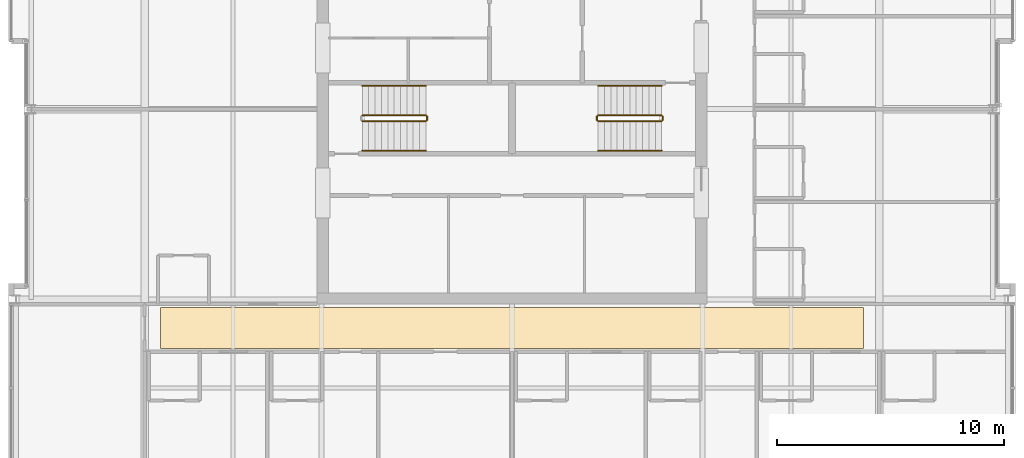
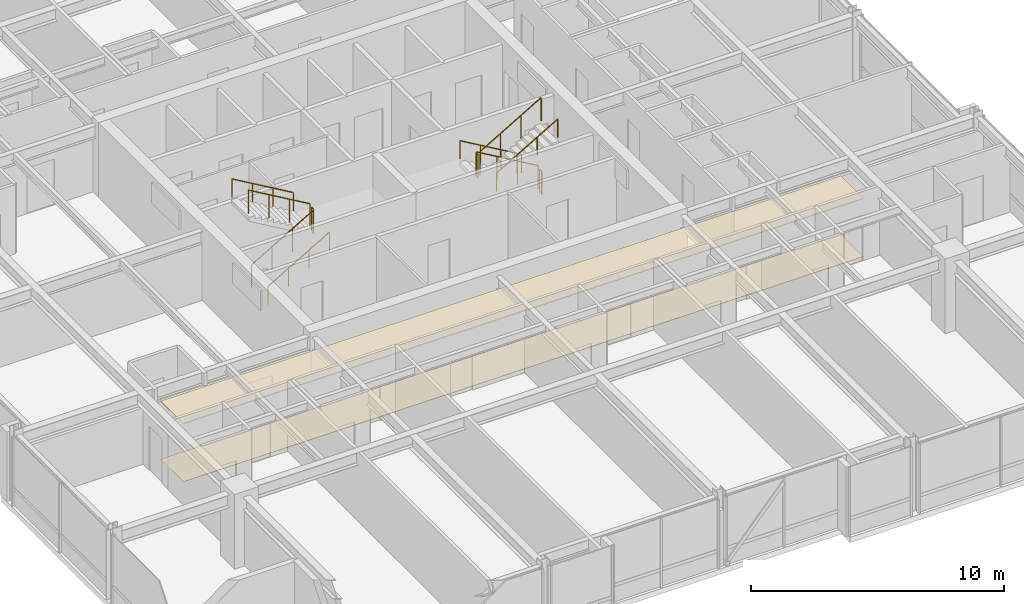
# One storey, part 32 of 33: 11 railings, 2 coverings.
"""IFC4 building model written with IfcOpenShell, lengths in metres."""

import ifcopenshell
import ifcopenshell.guid

model = None  # the IFC model being written
_history = None  # IfcOwnerHistory: only IFC2X3 demands one
_inside = {}  # id of a spatial element -> (the spatial element, [elements in it])
_under = {}  # id of a project, library or spatial element -> (it, [spatial elements below it])
_declared = {}  # id of a project -> (the project, [libraries it declares])
_typed = {}  # id of a type object -> (the type object, [elements of that type])
_made_of = {}  # id of a material, layer set ... -> (it, [elements and type objects made of it])


def new_model(schema):
    """Start an empty IFC model of exactly this schema.

    Asked for "IFC4X3", IfcOpenShell would pick the latest addendum, in which some entities
    have other attributes; the version numbers below select the first issue.
    IFC2X3 requires an IfcOwnerHistory on every rooted entity: one is made here for all.
    """
    global model, _history
    if schema == "IFC4X3":
        model = ifcopenshell.file(schema_version=(4, 3, 0, 0))
    else:
        model = ifcopenshell.file(schema=schema)
    _inside.clear()
    _under.clear()
    _declared.clear()
    _typed.clear()
    _made_of.clear()
    _history = None
    if model.schema == "IFC2X3":
        org = make("IfcOrganization", Name="unknown")
        user = make(
            "IfcPersonAndOrganization",
            ThePerson=make("IfcPerson", FamilyName="unknown"),
            TheOrganization=org,
        )
        app = make(
            "IfcApplication",
            ApplicationDeveloper=org,
            Version="unknown",
            ApplicationFullName="unknown",
            ApplicationIdentifier="unknown",
        )
        _history = make(
            "IfcOwnerHistory",
            OwningUser=user,
            OwningApplication=app,
            ChangeAction="ADDED",
            CreationDate=0,
        )
    return model


def make(cls, **values):
    """One entity of the class cls with the attributes given. An attribute that is None is left unset."""
    return model.create_entity(
        cls, **{name: value for name, value in values.items() if value is not None}
    )


def rooted(cls, **values):
    """An entity with a GlobalId (a new one), such as an element, a storey or a relation."""
    return make(cls, GlobalId=ifcopenshell.guid.new(), OwnerHistory=_history, **values)


def si_unit(unit_type, name, prefix=None):
    """IfcSIUnit, for example si_unit("LENGTHUNIT", "METRE", prefix="MILLI")."""
    return make("IfcSIUnit", UnitType=unit_type, Prefix=prefix, Name=name)


def assignment(units):
    """IfcUnitAssignment: the units of a project."""
    return None if units is None else make("IfcUnitAssignment", Units=units)


def point(xyz):
    """IfcCartesianPoint."""
    return None if xyz is None else make("IfcCartesianPoint", Coordinates=xyz)


def direction(xyz):
    """IfcDirection."""
    return None if xyz is None else make("IfcDirection", DirectionRatios=xyz)


def frame(location, z_axis=None, x_axis=None):
    """IfcAxis2Placement3D, a coordinate frame: its origin and axes. An axis left out is left unset."""
    return make(
        "IfcAxis2Placement3D",
        Location=point(location),
        Axis=direction(z_axis),
        RefDirection=direction(x_axis),
    )


def frame_2d(location, x_axis=None):
    """IfcAxis2Placement2D, a coordinate frame in the plane: its origin and x axis."""
    return make(
        "IfcAxis2Placement2D", Location=point(location), RefDirection=direction(x_axis)
    )


def origin():
    """The frame at (0, 0, 0) with its axes left unset."""
    return frame((0.0, 0.0, 0.0))


def origin_2d():
    """The frame at (0, 0) in the plane with its x axis left unset."""
    return frame_2d((0.0, 0.0))


def place(relative_to, where):
    """IfcLocalPlacement: puts the frame where relative to a parent placement (None: the world)."""
    return make(
        "IfcLocalPlacement", PlacementRelTo=relative_to, RelativePlacement=where
    )


def context(
    kind, dimensions, precision=None, world=None, true_north=None, identifier=None
):
    """IfcGeometricRepresentationContext, for example the 3D "Model" context."""
    return make(
        "IfcGeometricRepresentationContext",
        ContextIdentifier=identifier,
        ContextType=kind,
        CoordinateSpaceDimension=dimensions,
        Precision=precision,
        WorldCoordinateSystem=world,
        TrueNorth=true_north,
    )


def subcontext(parent, identifier, kind, view, scale=None):
    """IfcGeometricRepresentationSubContext, for example "Body" below "Model"."""
    return make(
        "IfcGeometricRepresentationSubContext",
        ContextIdentifier=identifier,
        ContextType=kind,
        ParentContext=parent,
        TargetScale=scale,
        TargetView=view,
    )


def project(units=None, contexts=None):
    """IfcProject with its units and contexts."""
    return rooted(
        "IfcProject",
        Name="project",
        RepresentationContexts=contexts,
        UnitsInContext=assignment(units),
    )


def spatial(cls, under=None, at=None, **own):
    """A site, building, storey or space (cls), placed at a placement, below another one or the project."""
    s = rooted(cls, ObjectPlacement=at, **own)
    if under is not None:
        _under.setdefault(under.id(), (under, []))[1].append(s)
    return s


def polyline(points):
    """IfcPolyline through the points."""
    return make("IfcPolyline", Points=[point(p) for p in points])


def profile(cls, at=None, kind="AREA", **sizes):
    """A parametric profile (cls). Its sizes go by their IFC names, for example OverallWidth=200.0."""
    return make(cls, ProfileType=kind, Position=at, **sizes)


def circle(**sizes):
    """IfcCircleProfileDef."""
    return profile("IfcCircleProfileDef", **sizes)


def outline(outer, holes=None, kind="AREA"):
    """IfcArbitraryClosedProfileDef: a profile drawn as a closed curve; with holes, ...WithVoids."""
    if holes is None:
        return make("IfcArbitraryClosedProfileDef", ProfileType=kind, OuterCurve=outer)
    return make(
        "IfcArbitraryProfileDefWithVoids",
        ProfileType=kind,
        OuterCurve=outer,
        InnerCurves=holes,
    )


def extrude(swept, where, along, depth):
    """IfcExtrudedAreaSolid: the profile swept, set in the frame where, extruded along a direction by depth."""
    return make(
        "IfcExtrudedAreaSolid",
        SweptArea=swept,
        Position=where,
        ExtrudedDirection=direction(along),
        Depth=depth,
    )


def shape(context_of_items, identifier, shape_type, items):
    """IfcShapeRepresentation: the items that make up one representation, for example the "Body"."""
    return make(
        "IfcShapeRepresentation",
        ContextOfItems=context_of_items,
        RepresentationIdentifier=identifier,
        RepresentationType=shape_type,
        Items=items,
    )


def material(Name=None, Category=None):
    """IfcMaterial."""
    return make("IfcMaterial", Name=Name, Category=Category)


def layer(
    of_material, thickness, ventilated=None, Name=None, Category=None, Priority=None
):
    """IfcMaterialLayer: one layer of a wall or slab, of a material (None: an air gap)."""
    return make(
        "IfcMaterialLayer",
        Material=of_material,
        LayerThickness=thickness,
        IsVentilated=ventilated,
        Name=Name,
        Category=Category,
        Priority=Priority,
    )


def layer_set(layers, Name=None):
    """IfcMaterialLayerSet."""
    return make("IfcMaterialLayerSet", MaterialLayers=layers, LayerSetName=Name)


def made_of(thing, what):
    """Note that an element or type object is made of a material, layer set ...; save() writes the relation."""
    if what is not None:
        _made_of.setdefault(what.id(), (what, []))[1].append(thing)
    return thing


def type_object(cls, material=None, **own):
    """A type object (cls), such as IfcWallType, which elements share."""
    return made_of(rooted(cls, **own), material)


def element(
    cls,
    number,
    at=None,
    inside=None,
    cuts=None,
    type_object=None,
    material=None,
    context=None,
    identifier="Body",
    shape_type=None,
    held_by="IfcProductDefinitionShape",
    body=None,
    shapes=None,
    **own,
):
    """One element of the class cls, such as IfcWall. Its Tag is "e" and its number.

    at: its placement. inside: the storey or other place that contains it. cuts: it is an
    opening in that element (IfcRelVoidsElement). A single representation is given by context,
    identifier, shape_type and body (its items); several are given by shapes. held_by: the class
    of the entity that holds the representations. save() writes the other relations.
    """
    e = rooted(cls, Tag="e%d" % number, ObjectPlacement=at, **own)
    if body is not None:
        shapes = [shape(context, identifier, shape_type, body)]
    if shapes is not None:
        e.Representation = make(held_by, Representations=shapes)
    if inside is not None:
        _inside.setdefault(inside.id(), (inside, []))[1].append(e)
    if cuts is not None:
        rooted(
            "IfcRelVoidsElement", RelatingBuildingElement=cuts, RelatedOpeningElement=e
        )
    if type_object is not None:
        _typed.setdefault(type_object.id(), (type_object, []))[1].append(e)
    return made_of(e, material)


def aggregate(whole, parts):
    """IfcRelAggregates: a whole, such as a stair, and the parts it consists of."""
    return rooted("IfcRelAggregates", RelatingObject=whole, RelatedObjects=parts)


def save(model, path):
    """Write the relations noted so far, then the file.

    IfcRelAggregates (storeys below a building ...), IfcRelContainedInSpatialStructure (elements
    in a storey), IfcRelDefinesByType, IfcRelAssociatesMaterial and IfcRelDeclares: one each for
    every whole, place, type object, material and project.
    """
    for whole, parts in _under.values():
        aggregate(whole, parts)
    for where, things in _inside.values():
        rooted(
            "IfcRelContainedInSpatialStructure",
            RelatedElements=things,
            RelatingStructure=where,
        )
    for kind, things in _typed.values():
        rooted("IfcRelDefinesByType", RelatedObjects=things, RelatingType=kind)
    for what, things in _made_of.values():
        rooted("IfcRelAssociatesMaterial", RelatedObjects=things, RelatingMaterial=what)
    for by, libraries in _declared.values():
        rooted("IfcRelDeclares", RelatingContext=by, RelatedDefinitions=libraries)
    model.write(path)


model = new_model("IFC4")

# Units and contexts
model_context = context("Model", 3, precision=1e-05, world=origin(), true_north=direction((0.0, 1.0)))
body_context = subcontext(model_context, "Body", "Model", "MODEL_VIEW")
ifc_project = project(units=[si_unit("LENGTHUNIT", "METRE"), si_unit("AREAUNIT", "SQUARE_METRE"), si_unit("VOLUMEUNIT", "CUBIC_METRE"), si_unit("PLANEANGLEUNIT", "RADIAN"), si_unit("MASSUNIT", "GRAM", prefix="KILO")], contexts=[model_context])

# Site, building, storey
site_placement = place(None, origin())
site = spatial("IfcSite", under=ifc_project, at=site_placement, CompositionType="ELEMENT")
building_placement = place(site_placement, origin())
building = spatial("IfcBuilding", under=site, at=building_placement, Name="Drelvath Grand Hotel", CompositionType="ELEMENT")
storey_placement = place(building_placement, frame((0.0, 0.0, 212.300048828125)))
storey = spatial("IfcBuildingStorey", under=building, at=storey_placement, Name="L55", CompositionType="ELEMENT", Elevation=212.300048828125)

# Railings
ifc_material_1 = material(Name="Painted Steel S275", Category="steel")
railing_type_1 = type_object("IfcRailingType", Name="Core Stair Wall Handrail 900", PredefinedType="HANDRAIL", material=ifc_material_1)
railing_1_placement = place(storey_placement, frame((-6.60009765625, 25.169921875, 0.16357421875)))
element("IfcRailing", 1, at=railing_1_placement, inside=storey, type_object=railing_type_1, Name="L55 ST-1 stair handrail 1", PredefinedType="HANDRAIL", context=body_context, shape_type="SweptSolid", body=[
    extrude(circle(Radius=0.02392578125, at=origin_2d()), frame((0.0, 0.0, 0.8759765625), z_axis=(0.863360870873, 0.0, 0.504586966384), x_axis=(0.0, 1.0, 0.0)), (0.0, 0.0, 1.0), 3.2431640625),
    extrude(circle(Radius=0.02099609375, at=origin_2d()), origin(), (0.0, 0.0, 1.0), 0.851806640625),
    extrude(circle(Radius=0.02099609375, at=origin_2d()), frame((0.933349609375, 0.0, 0.54541015625)), (0.0, 0.0, 1.0), 0.851806640625),
    extrude(circle(Radius=0.02099609375, at=origin_2d()), frame((1.86669921875, 0.0, 1.091064453125)), (0.0, 0.0, 1.0), 0.851806640625),
    extrude(circle(Radius=0.02099609375, at=origin_2d()), frame((2.800048828125, 0.0, 1.636474609375)), (0.0, 0.0, 1.0), 0.851806640625),
])
railing_2_placement = place(storey_placement, frame((-3.800048828125, 28.030029296875, 1.963623046875)))
element("IfcRailing", 2, at=railing_2_placement, inside=storey, type_object=railing_type_1, Name="L55 ST-1 stair handrail 2", PredefinedType="HANDRAIL", context=body_context, shape_type="SweptSolid", body=[
    extrude(circle(Radius=0.02392578125, at=origin_2d()), frame((0.0, 0.0, 0.8759765625), z_axis=(-0.863393664356, 0.0, 0.504530851732), x_axis=(0.0, -1.0, 0.0)), (0.0, 0.0, 1.0), 3.2431640625),
    extrude(circle(Radius=0.02099609375, at=origin_2d()), origin(), (0.0, 0.0, 1.0), 0.851806640625),
    extrude(circle(Radius=0.02099609375, at=origin_2d()), frame((-0.933349609375, 0.0, 0.54541015625)), (0.0, 0.0, 1.0), 0.851806640625),
    extrude(circle(Radius=0.02099609375, at=origin_2d()), frame((-1.86669921875, 0.0, 1.0908203125)), (0.0, 0.0, 1.0), 0.851806640625),
    extrude(circle(Radius=0.02099609375, at=origin_2d()), frame((-2.800048828125, 0.0, 1.63623046875)), (0.0, 0.0, 1.0), 0.851806640625),
])
railing_3_placement = place(storey_placement, frame((6.60009765625, 28.030029296875, 0.16357421875)))
element("IfcRailing", 3, at=railing_3_placement, inside=storey, type_object=railing_type_1, Name="L55 ST-2 stair handrail 1", PredefinedType="HANDRAIL", context=body_context, shape_type="SweptSolid", body=[
    extrude(circle(Radius=0.02392578125, at=origin_2d()), frame((0.0, 0.0, 0.8759765625), z_axis=(-0.863360870873, 0.0, 0.504586966384), x_axis=(0.0, -1.0, 0.0)), (0.0, 0.0, 1.0), 3.2431640625),
    extrude(circle(Radius=0.02099609375, at=origin_2d()), origin(), (0.0, 0.0, 1.0), 0.851806640625),
    extrude(circle(Radius=0.02099609375, at=origin_2d()), frame((-0.933349609375, 0.0, 0.54541015625)), (0.0, 0.0, 1.0), 0.851806640625),
    extrude(circle(Radius=0.02099609375, at=origin_2d()), frame((-1.86669921875, 0.0, 1.091064453125)), (0.0, 0.0, 1.0), 0.851806640625),
    extrude(circle(Radius=0.02099609375, at=origin_2d()), frame((-2.800048828125, 0.0, 1.636474609375)), (0.0, 0.0, 1.0), 0.851806640625),
])
railing_4_placement = place(storey_placement, frame((3.800048828125, 25.169921875, 1.963623046875)))
element("IfcRailing", 4, at=railing_4_placement, inside=storey, type_object=railing_type_1, Name="L55 ST-2 stair handrail 2", PredefinedType="HANDRAIL", context=body_context, shape_type="SweptSolid", body=[
    extrude(circle(Radius=0.02392578125, at=origin_2d()), frame((0.0, 0.0, 0.8759765625), z_axis=(0.863393664356, 0.0, 0.504530851732), x_axis=(0.0, 1.0, 0.0)), (0.0, 0.0, 1.0), 3.2431640625),
    extrude(circle(Radius=0.02099609375, at=origin_2d()), origin(), (0.0, 0.0, 1.0), 0.851806640625),
    extrude(circle(Radius=0.02099609375, at=origin_2d()), frame((0.933349609375, 0.0, 0.54541015625)), (0.0, 0.0, 1.0), 0.851806640625),
    extrude(circle(Radius=0.02099609375, at=origin_2d()), frame((1.86669921875, 0.0, 1.0908203125)), (0.0, 0.0, 1.0), 0.851806640625),
    extrude(circle(Radius=0.02099609375, at=origin_2d()), frame((2.800048828125, 0.0, 1.63623046875)), (0.0, 0.0, 1.0), 0.851806640625),
])
railing_type_2 = type_object("IfcRailingType", Name="Core Stair Well Guardrail 1100", PredefinedType="GUARDRAIL", material=ifc_material_1)
railing_5_placement = place(storey_placement, frame((-6.60009765625, 26.469970703125, 0.16357421875)))
element("IfcRailing", 5, at=railing_5_placement, inside=storey, type_object=railing_type_2, Name="L55 ST-1 stair guard 1", PredefinedType="GUARDRAIL", context=body_context, shape_type="SweptSolid", body=[
    extrude(circle(Radius=0.02392578125, at=origin_2d()), frame((0.0, 0.0, 1.1259765625), z_axis=(0.863360870873, 0.0, 0.504586966384), x_axis=(0.0, 1.0, 0.0)), (0.0, 0.0, 1.0), 3.2431640625),
    extrude(circle(Radius=0.02099609375, at=origin_2d()), origin(), (0.0, 0.0, 1.0), 1.101806640625),
    extrude(circle(Radius=0.02099609375, at=origin_2d()), frame((0.933349609375, 0.0, 0.54541015625)), (0.0, 0.0, 1.0), 1.101806640625),
    extrude(circle(Radius=0.02099609375, at=origin_2d()), frame((1.86669921875, 0.0, 1.091064453125)), (0.0, 0.0, 1.0), 1.101806640625),
    extrude(circle(Radius=0.02099609375, at=origin_2d()), frame((2.800048828125, 0.0, 1.636474609375)), (0.0, 0.0, 1.0), 1.101806640625),
])
railing_6_placement = place(storey_placement, frame((-3.75, 26.52001953125, 1.800048828125)))
element("IfcRailing", 6, at=railing_6_placement, inside=storey, type_object=railing_type_2, Name="L55 ST-1 stair guard 2", PredefinedType="GUARDRAIL", context=body_context, shape_type="SweptSolid", body=[
    extrude(circle(Radius=0.02392578125, at=origin_2d()), frame((0.0, 0.0, 1.1259765625), z_axis=(0.0, 1.0, 0.0), x_axis=(-1.0, 0.0, 0.0)), (0.0, 0.0, 1.0), 0.159912109375),
    extrude(circle(Radius=0.02099609375, at=origin_2d()), origin(), (0.0, 0.0, 1.0), 1.101806640625),
    extrude(circle(Radius=0.02099609375, at=origin_2d()), frame((0.0, 0.159912109375, 0.0)), (0.0, 0.0, 1.0), 1.101806640625),
])
railing_7_placement = place(storey_placement, frame((-3.800048828125, 26.72998046875, 1.963623046875)))
element("IfcRailing", 7, at=railing_7_placement, inside=storey, type_object=railing_type_2, Name="L55 ST-1 stair guard 3", PredefinedType="GUARDRAIL", context=body_context, shape_type="SweptSolid", body=[
    extrude(circle(Radius=0.02392578125, at=origin_2d()), frame((0.0, 0.0, 1.1259765625), z_axis=(-0.863393664356, 0.0, 0.504530851732), x_axis=(0.0, -1.0, 0.0)), (0.0, 0.0, 1.0), 3.2431640625),
    extrude(circle(Radius=0.02099609375, at=origin_2d()), origin(), (0.0, 0.0, 1.0), 1.101806640625),
    extrude(circle(Radius=0.02099609375, at=origin_2d()), frame((-0.933349609375, 0.0, 0.54541015625)), (0.0, 0.0, 1.0), 1.101806640625),
    extrude(circle(Radius=0.02099609375, at=origin_2d()), frame((-1.86669921875, 0.0, 1.0908203125)), (0.0, 0.0, 1.0), 1.101806640625),
    extrude(circle(Radius=0.02099609375, at=origin_2d()), frame((-2.800048828125, 0.0, 1.63623046875)), (0.0, 0.0, 1.0), 1.101806640625),
])
railing_8_placement = place(storey_placement, frame((6.60009765625, 26.72998046875, 0.16357421875)))
element("IfcRailing", 8, at=railing_8_placement, inside=storey, type_object=railing_type_2, Name="L55 ST-2 stair guard 1", PredefinedType="GUARDRAIL", context=body_context, shape_type="SweptSolid", body=[
    extrude(circle(Radius=0.02392578125, at=origin_2d()), frame((0.0, 0.0, 1.1259765625), z_axis=(-0.863360870873, 0.0, 0.504586966384), x_axis=(0.0, -1.0, 0.0)), (0.0, 0.0, 1.0), 3.2431640625),
    extrude(circle(Radius=0.02099609375, at=origin_2d()), origin(), (0.0, 0.0, 1.0), 1.101806640625),
    extrude(circle(Radius=0.02099609375, at=origin_2d()), frame((-0.933349609375, 0.0, 0.54541015625)), (0.0, 0.0, 1.0), 1.101806640625),
    extrude(circle(Radius=0.02099609375, at=origin_2d()), frame((-1.86669921875, 0.0, 1.091064453125)), (0.0, 0.0, 1.0), 1.101806640625),
    extrude(circle(Radius=0.02099609375, at=origin_2d()), frame((-2.800048828125, 0.0, 1.636474609375)), (0.0, 0.0, 1.0), 1.101806640625),
])
railing_9_placement = place(storey_placement, frame((3.75, 26.679931640625, 1.800048828125)))
element("IfcRailing", 9, at=railing_9_placement, inside=storey, type_object=railing_type_2, Name="L55 ST-2 stair guard 2", PredefinedType="GUARDRAIL", context=body_context, shape_type="SweptSolid", body=[
    extrude(circle(Radius=0.02392578125, at=origin_2d()), frame((0.0, 0.0, 1.1259765625), z_axis=(0.0, -1.0, 0.0), x_axis=(1.0, 0.0, 0.0)), (0.0, 0.0, 1.0), 0.159912109375),
    extrude(circle(Radius=0.02099609375, at=origin_2d()), origin(), (0.0, 0.0, 1.0), 1.101806640625),
    extrude(circle(Radius=0.02099609375, at=origin_2d()), frame((0.0, -0.159912109375, 0.0)), (0.0, 0.0, 1.0), 1.101806640625),
])
railing_10_placement = place(storey_placement, frame((3.800048828125, 26.469970703125, 1.963623046875)))
element("IfcRailing", 10, at=railing_10_placement, inside=storey, type_object=railing_type_2, Name="L55 ST-2 stair guard 3", PredefinedType="GUARDRAIL", context=body_context, shape_type="SweptSolid", body=[
    extrude(circle(Radius=0.02392578125, at=origin_2d()), frame((0.0, 0.0, 1.1259765625), z_axis=(0.863393664356, 0.0, 0.504530851732), x_axis=(0.0, 1.0, 0.0)), (0.0, 0.0, 1.0), 3.2431640625),
    extrude(circle(Radius=0.02099609375, at=origin_2d()), origin(), (0.0, 0.0, 1.0), 1.101806640625),
    extrude(circle(Radius=0.02099609375, at=origin_2d()), frame((0.933349609375, 0.0, 0.54541015625)), (0.0, 0.0, 1.0), 1.101806640625),
    extrude(circle(Radius=0.02099609375, at=origin_2d()), frame((1.86669921875, 0.0, 1.0908203125)), (0.0, 0.0, 1.0), 1.101806640625),
    extrude(circle(Radius=0.02099609375, at=origin_2d()), frame((2.800048828125, 0.0, 1.63623046875)), (0.0, 0.0, 1.0), 1.101806640625),
])
railing_11_placement = place(storey_placement, frame((6.64990234375, 26.679931640625, 0.0)))
element("IfcRailing", 11, at=railing_11_placement, inside=storey, type_object=railing_type_2, Name="L55 ST-2 stair guard 4", PredefinedType="GUARDRAIL", context=body_context, shape_type="SweptSolid", body=[
    extrude(circle(Radius=0.02392578125, at=origin_2d()), frame((0.0, 0.0, 1.1259765625), z_axis=(0.0, -1.0, 0.0), x_axis=(1.0, 0.0, 0.0)), (0.0, 0.0, 1.0), 0.159912109375),
    extrude(circle(Radius=0.02099609375, at=origin_2d()), origin(), (0.0, 0.0, 1.0), 1.101806640625),
    extrude(circle(Radius=0.02099609375, at=origin_2d()), frame((0.0, -0.159912109375, 0.0)), (0.0, 0.0, 1.0), 1.101806640625),
])

# Coverings
ifc_material_2 = material(Name="Woven Wool Broadloom Carpet")
ifc_layer_1 = layer(ifc_material_2, 0.01806640625)
ifc_layer_set_1 = layer_set([ifc_layer_1], Name="Woven Wool Broadloom Carpet")
covering_type_1 = type_object("IfcCoveringType", Name="Hospitality Broadloom Carpet 18", PredefinedType="FLOORING", material=ifc_layer_set_1)
covering_1_placement = place(storey_placement, origin())
element("IfcCovering", 12, at=covering_1_placement, inside=storey, type_object=covering_type_1, Name="L55 Upper Gallery Carpet", PredefinedType="FLOORING", context=body_context, shape_type="SweptSolid", body=[
    extrude(outline(polyline([(15.5, 16.449951171875), (15.5, 18.25), (-15.5, 18.25), (-15.5, 16.449951171875), (15.5, 16.449951171875)])), origin(), (0.0, 0.0, 1.0), 0.01806640625),
])
ifc_material_3 = material(Name="Anodised Aluminium Alloy", Category="aluminium")
ifc_layer_2 = layer(ifc_material_3, 0.0400390625)
ifc_layer_set_2 = layer_set([ifc_layer_2], Name="Anodised Aluminium Alloy")
covering_type_2 = type_object("IfcCoveringType", Name="Perforated Metal Corridor Ceiling 40", PredefinedType="CEILING", material=ifc_layer_set_2)
covering_2_placement = place(storey_placement, frame((0.0, 0.0, 2.7900390625)))
element("IfcCovering", 13, at=covering_2_placement, inside=storey, type_object=covering_type_2, Name="L55 Upper Gallery Ceiling", PredefinedType="CEILING", context=body_context, shape_type="SweptSolid", body=[
    extrude(outline(polyline([(15.5, 16.449951171875), (15.5, 18.25), (-15.5, 18.25), (-15.5, 16.449951171875), (15.5, 16.449951171875)])), origin(), (0.0, 0.0, 1.0), 0.039794921875),
])

save(model, "model.ifc")
